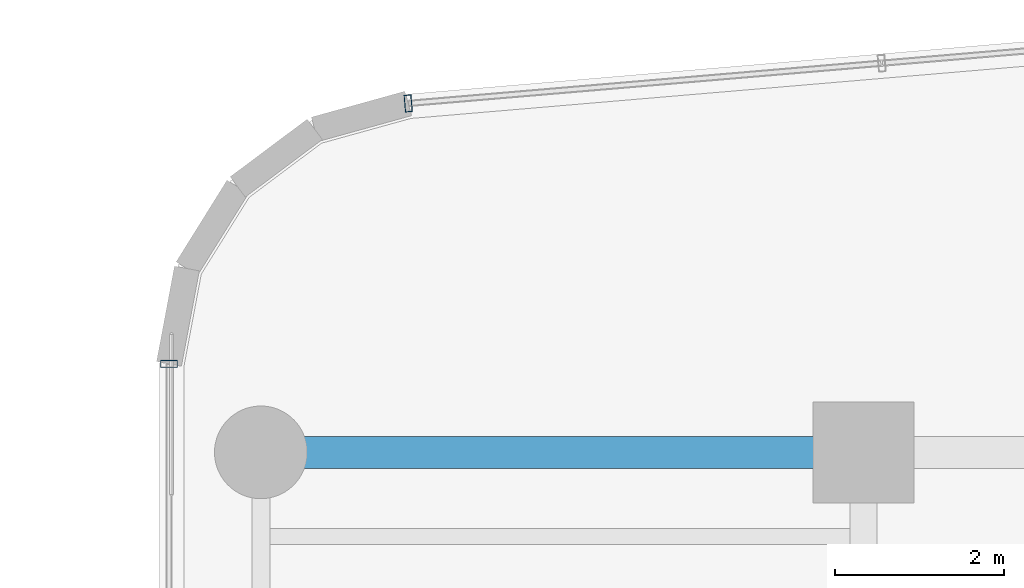
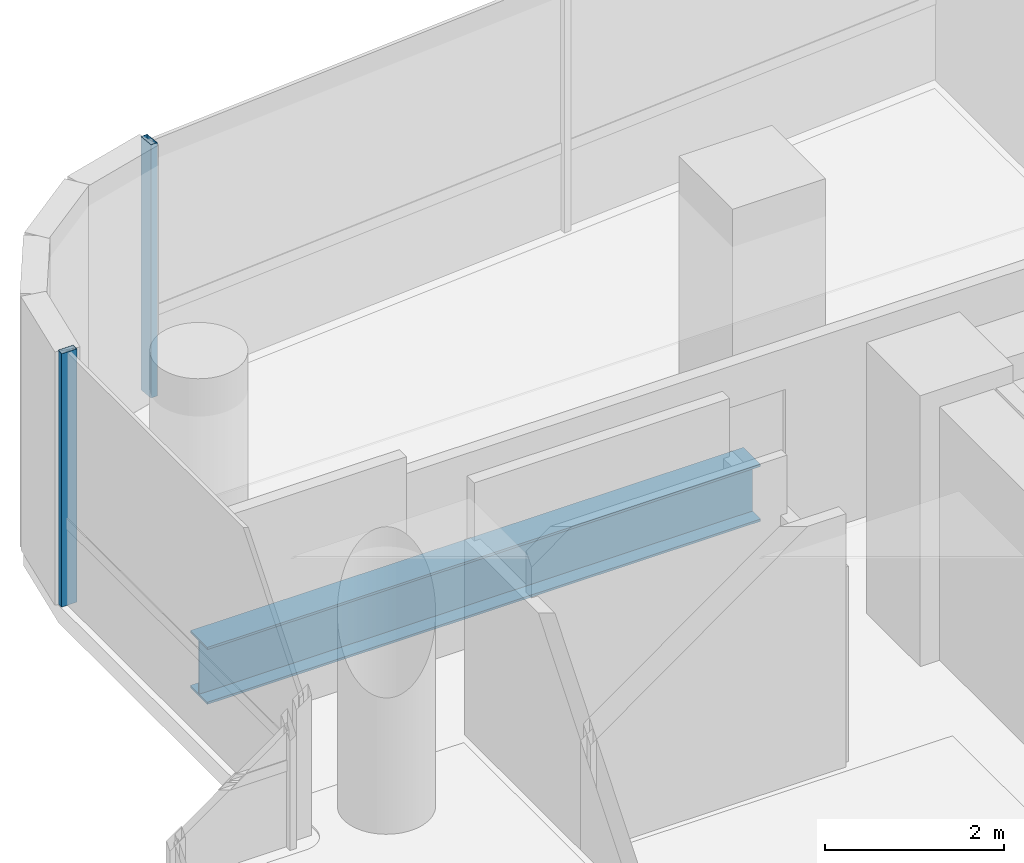
# One storey, part 18 of 34: 2 members, 1 beam, 2 elements without a shape of their own.
"""IFC4 building model written with IfcOpenShell, lengths in metres."""

from ifc_helpers import new_model, si_unit, direction, frame, origin, origin_2d, place, context, subcontext, project, spatial, hollow_rectangle, i_section, extrude, source, transform, mapped, material, material_profile, profile_set, type_object, element, aggregate, save


model = new_model("IFC4")

# Units and contexts
model_context = context("Model", 3, precision=1e-05, world=origin(), true_north=direction((0.0, 1.0)))
body_context = subcontext(model_context, "Body", "Model", "MODEL_VIEW")
ifc_project = project(units=[si_unit("LENGTHUNIT", "METRE"), si_unit("AREAUNIT", "SQUARE_METRE"), si_unit("VOLUMEUNIT", "CUBIC_METRE"), si_unit("PLANEANGLEUNIT", "RADIAN"), si_unit("MASSUNIT", "GRAM", prefix="KILO")], contexts=[model_context])

# Site, building, storey
site_placement = place(None, origin())
site = spatial("IfcSite", under=ifc_project, at=site_placement, CompositionType="ELEMENT")
building_placement = place(site_placement, origin())
building = spatial("IfcBuilding", under=site, at=building_placement, Name="Valdorenza Pilgrim Sanctuary Tower", CompositionType="ELEMENT")
storey_placement = place(building_placement, frame((0.0, 0.0, 146.39990234375)))
storey = spatial("IfcBuildingStorey", under=building, at=storey_placement, Name="L37", CompositionType="ELEMENT", Elevation=146.39990234375)

# Beam
ifc_material_1 = material(Name="Steel ASTM A992 Grade 50", Category="steel")
ifc_material_profile_1 = material_profile(ifc_material_1, i_section(OverallWidth=0.382080078125, OverallDepth=0.779052734375, WebThickness=0.01806640625, FlangeThickness=0.030029296875, at=origin_2d()), Name="W30X191")
ifc_profile_set_1 = profile_set([ifc_material_profile_1], Name="Steel ASTM A992 Grade 50")
beam_type = type_object("IfcBeamType", Name="STR-BM-GRD-W30", PredefinedType="BEAM", material=ifc_profile_set_1)
shared_shape_1 = source(origin(), body_context, "Body", "SweptSolid", [
    extrude(i_section(OverallWidth=0.382080078125, OverallDepth=0.779052734375, WebThickness=0.01806640625, FlangeThickness=0.030029296875, at=origin_2d()), origin(), (0.0, 0.0, 1.0), 7.150146484375),
])
beam_placement = place(storey_placement, frame((-29.800048828125, 14.800048828125, -0.62939453125), z_axis=(1.0, 0.0, 0.0), x_axis=(0.0, 1.0, 0.0)))
element("IfcBeam", 1, at=beam_placement, inside=storey, type_object=beam_type, Name="L37 Floor Girder WA-XW-N2", PredefinedType="BEAM", context=body_context, shape_type="MappedRepresentation", body=[
    mapped(shared_shape_1, transform((0.0, 0.0, 0.0), x_axis=(1.0, 0.0, 0.0), y_axis=(0.0, 1.0, 0.0), z_axis=(0.0, 0.0, 1.0), scale=1.0)),
])

# Curtain wall, member
ifc_material_2 = material(Name="Curtain-wall IGU glazing", Category="glass")
curtain_wall_type = type_object("IfcCurtainWallType", Name="CW-SYS-02", PredefinedType="NOTDEFINED", material=ifc_material_2)
curtain_wall_1_placement = place(storey_placement, origin())
curtain_wall_1 = element("IfcCurtainWall", 2, at=curtain_wall_1_placement, inside=storey, type_object=curtain_wall_type, Name="L37 Curtain Wall CW-L37-1-1S2", PredefinedType="NOTDEFINED")
ifc_material_3 = material(Name="Anodised aluminium AW-6060", Category="aluminium")
ifc_material_profile_2 = material_profile(ifc_material_3, hollow_rectangle(XDim=0.0849609375, YDim=0.199951171875, WallThickness=0.0048828125, at=origin_2d()), Name="ALU-M 200x85x5")
ifc_profile_set_2 = profile_set([ifc_material_profile_2], Name="Anodised aluminium AW-6060")
member_type = type_object("IfcMemberType", Name="CW-MUL-02", PredefinedType="MULLION", material=ifc_profile_set_2)
shared_shape_2 = source(origin(), body_context, "Body", "SweptSolid", [
    extrude(hollow_rectangle(XDim=0.0849609375, YDim=0.199951171875, WallThickness=0.0048828125, at=origin_2d()), origin(), (0.0, 0.0, 1.0), 3.460205078125),
])
member_1_placement = place(storey_placement, frame((-30.889892578125, 15.850341796875, 0.0), z_axis=(0.0, 0.0, 1.0), x_axis=(0.0, 1.0, 0.0)))
member_1 = element("IfcMember", 3, at=member_1_placement, type_object=member_type, Name="CW-L37-1-1S2 Mullion 2", PredefinedType="MULLION", context=body_context, shape_type="MappedRepresentation", body=[
    mapped(shared_shape_2, transform((0.0, 0.0, 0.0), x_axis=(1.0, 0.0, 0.0), y_axis=(0.0, 1.0, 0.0), z_axis=(0.0, 0.0, 1.0), scale=1.0)),
])
aggregate(curtain_wall_1, [member_1])

curtain_wall_2_placement = place(storey_placement, origin())
curtain_wall_2 = element("IfcCurtainWall", 4, at=curtain_wall_2_placement, inside=storey, type_object=curtain_wall_type, Name="L37 Curtain Wall CW-L37-1-6", PredefinedType="NOTDEFINED")
member_2_placement = place(storey_placement, frame((-28.051513671875, 18.940185546875, 0.0), z_axis=(0.0, 0.0, 1.0), x_axis=(0.99640764237, 0.084686541006, 0.0)))
member_2 = element("IfcMember", 5, at=member_2_placement, type_object=member_type, Name="CW-L37-1-6 Mullion 1", PredefinedType="MULLION", context=body_context, shape_type="MappedRepresentation", body=[
    mapped(shared_shape_2, transform((0.0, 0.0, 0.0), x_axis=(1.0, 0.0, 0.0), y_axis=(0.0, 1.0, 0.0), z_axis=(0.0, 0.0, 1.0), scale=1.0)),
])
aggregate(curtain_wall_2, [member_2])

save(model, "model.ifc")
